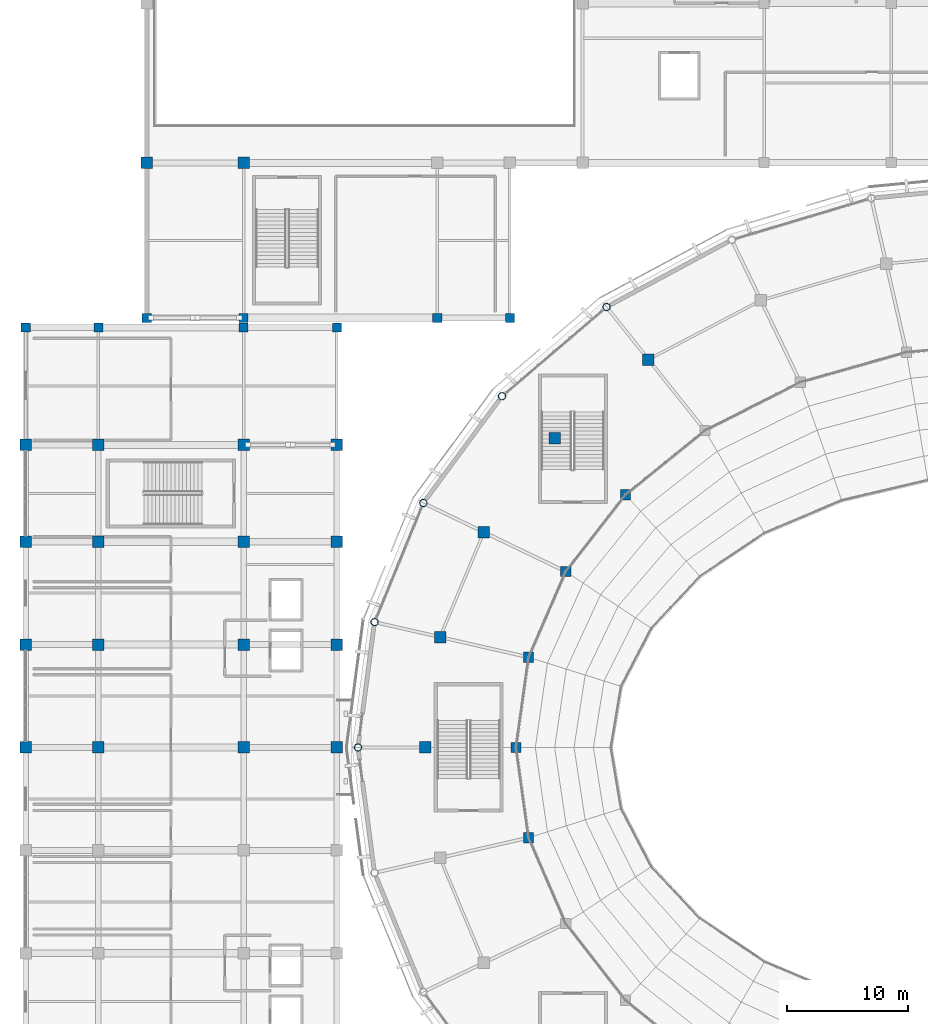
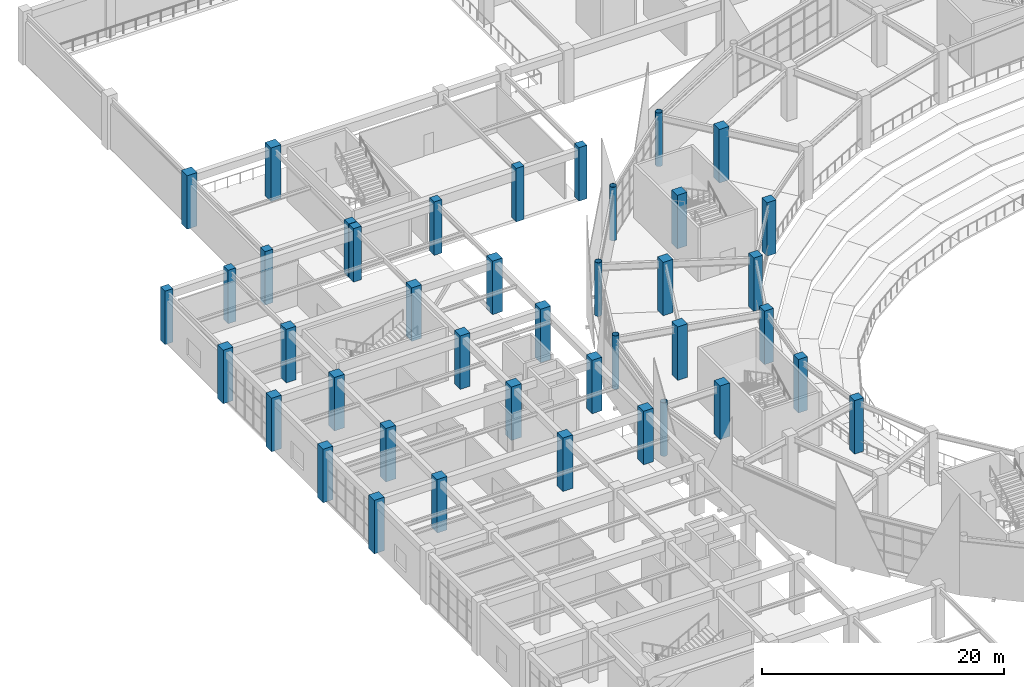
# One storey, part 6 of 120: 41 columns.
"""IFC4 building model written with IfcOpenShell, lengths in metres."""

import ifcopenshell
import ifcopenshell.guid

model = None  # the IFC model being written
_history = None  # IfcOwnerHistory: only IFC2X3 demands one
_inside = {}  # id of a spatial element -> (the spatial element, [elements in it])
_under = {}  # id of a project, library or spatial element -> (it, [spatial elements below it])
_declared = {}  # id of a project -> (the project, [libraries it declares])
_typed = {}  # id of a type object -> (the type object, [elements of that type])
_made_of = {}  # id of a material, layer set ... -> (it, [elements and type objects made of it])


def new_model(schema):
    """Start an empty IFC model of exactly this schema.

    Asked for "IFC4X3", IfcOpenShell would pick the latest addendum, in which some entities
    have other attributes; the version numbers below select the first issue.
    IFC2X3 requires an IfcOwnerHistory on every rooted entity: one is made here for all.
    """
    global model, _history
    if schema == "IFC4X3":
        model = ifcopenshell.file(schema_version=(4, 3, 0, 0))
    else:
        model = ifcopenshell.file(schema=schema)
    _inside.clear()
    _under.clear()
    _declared.clear()
    _typed.clear()
    _made_of.clear()
    _history = None
    if model.schema == "IFC2X3":
        org = make("IfcOrganization", Name="unknown")
        user = make(
            "IfcPersonAndOrganization",
            ThePerson=make("IfcPerson", FamilyName="unknown"),
            TheOrganization=org,
        )
        app = make(
            "IfcApplication",
            ApplicationDeveloper=org,
            Version="unknown",
            ApplicationFullName="unknown",
            ApplicationIdentifier="unknown",
        )
        _history = make(
            "IfcOwnerHistory",
            OwningUser=user,
            OwningApplication=app,
            ChangeAction="ADDED",
            CreationDate=0,
        )
    return model


def make(cls, **values):
    """One entity of the class cls with the attributes given. An attribute that is None is left unset."""
    return model.create_entity(
        cls, **{name: value for name, value in values.items() if value is not None}
    )


def rooted(cls, **values):
    """An entity with a GlobalId (a new one), such as an element, a storey or a relation."""
    return make(cls, GlobalId=ifcopenshell.guid.new(), OwnerHistory=_history, **values)


def si_unit(unit_type, name, prefix=None):
    """IfcSIUnit, for example si_unit("LENGTHUNIT", "METRE", prefix="MILLI")."""
    return make("IfcSIUnit", UnitType=unit_type, Prefix=prefix, Name=name)


def assignment(units):
    """IfcUnitAssignment: the units of a project."""
    return None if units is None else make("IfcUnitAssignment", Units=units)


def point(xyz):
    """IfcCartesianPoint."""
    return None if xyz is None else make("IfcCartesianPoint", Coordinates=xyz)


def direction(xyz):
    """IfcDirection."""
    return None if xyz is None else make("IfcDirection", DirectionRatios=xyz)


def frame(location, z_axis=None, x_axis=None):
    """IfcAxis2Placement3D, a coordinate frame: its origin and axes. An axis left out is left unset."""
    return make(
        "IfcAxis2Placement3D",
        Location=point(location),
        Axis=direction(z_axis),
        RefDirection=direction(x_axis),
    )


def frame_2d(location, x_axis=None):
    """IfcAxis2Placement2D, a coordinate frame in the plane: its origin and x axis."""
    return make(
        "IfcAxis2Placement2D", Location=point(location), RefDirection=direction(x_axis)
    )


def origin():
    """The frame at (0, 0, 0) with its axes left unset."""
    return frame((0.0, 0.0, 0.0))


def origin_2d():
    """The frame at (0, 0) in the plane with its x axis left unset."""
    return frame_2d((0.0, 0.0))


def place(relative_to, where):
    """IfcLocalPlacement: puts the frame where relative to a parent placement (None: the world)."""
    return make(
        "IfcLocalPlacement", PlacementRelTo=relative_to, RelativePlacement=where
    )


def context(
    kind, dimensions, precision=None, world=None, true_north=None, identifier=None
):
    """IfcGeometricRepresentationContext, for example the 3D "Model" context."""
    return make(
        "IfcGeometricRepresentationContext",
        ContextIdentifier=identifier,
        ContextType=kind,
        CoordinateSpaceDimension=dimensions,
        Precision=precision,
        WorldCoordinateSystem=world,
        TrueNorth=true_north,
    )


def subcontext(parent, identifier, kind, view, scale=None):
    """IfcGeometricRepresentationSubContext, for example "Body" below "Model"."""
    return make(
        "IfcGeometricRepresentationSubContext",
        ContextIdentifier=identifier,
        ContextType=kind,
        ParentContext=parent,
        TargetScale=scale,
        TargetView=view,
    )


def project(units=None, contexts=None):
    """IfcProject with its units and contexts."""
    return rooted(
        "IfcProject",
        Name="project",
        RepresentationContexts=contexts,
        UnitsInContext=assignment(units),
    )


def spatial(cls, under=None, at=None, **own):
    """A site, building, storey or space (cls), placed at a placement, below another one or the project."""
    s = rooted(cls, ObjectPlacement=at, **own)
    if under is not None:
        _under.setdefault(under.id(), (under, []))[1].append(s)
    return s


def profile(cls, at=None, kind="AREA", **sizes):
    """A parametric profile (cls). Its sizes go by their IFC names, for example OverallWidth=200.0."""
    return make(cls, ProfileType=kind, Position=at, **sizes)


def rectangle(**sizes):
    """IfcRectangleProfileDef."""
    return profile("IfcRectangleProfileDef", **sizes)


def hollow_circle(**sizes):
    """IfcCircleHollowProfileDef."""
    return profile("IfcCircleHollowProfileDef", **sizes)


def extrude(swept, where, along, depth):
    """IfcExtrudedAreaSolid: the profile swept, set in the frame where, extruded along a direction by depth."""
    return make(
        "IfcExtrudedAreaSolid",
        SweptArea=swept,
        Position=where,
        ExtrudedDirection=direction(along),
        Depth=depth,
    )


def shape(context_of_items, identifier, shape_type, items):
    """IfcShapeRepresentation: the items that make up one representation, for example the "Body"."""
    return make(
        "IfcShapeRepresentation",
        ContextOfItems=context_of_items,
        RepresentationIdentifier=identifier,
        RepresentationType=shape_type,
        Items=items,
    )


def material(Name=None, Category=None):
    """IfcMaterial."""
    return make("IfcMaterial", Name=Name, Category=Category)


def material_profile(
    of_material, cross_section, Name=None, Category=None, Priority=None
):
    """IfcMaterialProfile: a cross section and its material."""
    return make(
        "IfcMaterialProfile",
        Name=Name,
        Material=of_material,
        Profile=cross_section,
        Priority=Priority,
        Category=Category,
    )


def profile_set(profiles, Name=None, composite=None):
    """IfcMaterialProfileSet."""
    return make(
        "IfcMaterialProfileSet",
        Name=Name,
        MaterialProfiles=profiles,
        CompositeProfile=composite,
    )


def made_of(thing, what):
    """Note that an element or type object is made of a material, layer set ...; save() writes the relation."""
    if what is not None:
        _made_of.setdefault(what.id(), (what, []))[1].append(thing)
    return thing


def type_object(cls, material=None, **own):
    """A type object (cls), such as IfcWallType, which elements share."""
    return made_of(rooted(cls, **own), material)


def element(
    cls,
    number,
    at=None,
    inside=None,
    cuts=None,
    type_object=None,
    material=None,
    context=None,
    identifier="Body",
    shape_type=None,
    held_by="IfcProductDefinitionShape",
    body=None,
    shapes=None,
    **own,
):
    """One element of the class cls, such as IfcWall. Its Tag is "e" and its number.

    at: its placement. inside: the storey or other place that contains it. cuts: it is an
    opening in that element (IfcRelVoidsElement). A single representation is given by context,
    identifier, shape_type and body (its items); several are given by shapes. held_by: the class
    of the entity that holds the representations. save() writes the other relations.
    """
    e = rooted(cls, Tag="e%d" % number, ObjectPlacement=at, **own)
    if body is not None:
        shapes = [shape(context, identifier, shape_type, body)]
    if shapes is not None:
        e.Representation = make(held_by, Representations=shapes)
    if inside is not None:
        _inside.setdefault(inside.id(), (inside, []))[1].append(e)
    if cuts is not None:
        rooted(
            "IfcRelVoidsElement", RelatingBuildingElement=cuts, RelatedOpeningElement=e
        )
    if type_object is not None:
        _typed.setdefault(type_object.id(), (type_object, []))[1].append(e)
    return made_of(e, material)


def aggregate(whole, parts):
    """IfcRelAggregates: a whole, such as a stair, and the parts it consists of."""
    return rooted("IfcRelAggregates", RelatingObject=whole, RelatedObjects=parts)


def save(model, path):
    """Write the relations noted so far, then the file.

    IfcRelAggregates (storeys below a building ...), IfcRelContainedInSpatialStructure (elements
    in a storey), IfcRelDefinesByType, IfcRelAssociatesMaterial and IfcRelDeclares: one each for
    every whole, place, type object, material and project.
    """
    for whole, parts in _under.values():
        aggregate(whole, parts)
    for where, things in _inside.values():
        rooted(
            "IfcRelContainedInSpatialStructure",
            RelatedElements=things,
            RelatingStructure=where,
        )
    for kind, things in _typed.values():
        rooted("IfcRelDefinesByType", RelatedObjects=things, RelatingType=kind)
    for what, things in _made_of.values():
        rooted("IfcRelAssociatesMaterial", RelatedObjects=things, RelatingMaterial=what)
    for by, libraries in _declared.values():
        rooted("IfcRelDeclares", RelatingContext=by, RelatedDefinitions=libraries)
    model.write(path)


model = new_model("IFC4")

# Units and contexts
model_context = context("Model", 3, precision=1e-05, world=origin(), true_north=direction((0.0, 1.0)))
body_context = subcontext(model_context, "Body", "Model", "MODEL_VIEW")
ifc_project = project(units=[si_unit("LENGTHUNIT", "METRE"), si_unit("AREAUNIT", "SQUARE_METRE"), si_unit("VOLUMEUNIT", "CUBIC_METRE"), si_unit("PLANEANGLEUNIT", "RADIAN"), si_unit("MASSUNIT", "GRAM", prefix="KILO")], contexts=[model_context])

# Site, building, storey
site_placement = place(None, origin())
site = spatial("IfcSite", under=ifc_project, at=site_placement, CompositionType="ELEMENT")
building_placement = place(site_placement, origin())
building = spatial("IfcBuilding", under=site, at=building_placement, Name="Cuetzalor Civic Arena", CompositionType="ELEMENT")
storey_placement = place(building_placement, frame((0.0, 0.0, 6.0)))
storey = spatial("IfcBuildingStorey", under=building, at=storey_placement, Name="L01", CompositionType="ELEMENT", Elevation=6.0)

# Columns
ifc_material_1 = material(Name="Concrete C40/50", Category="concrete")
ifc_material_profile_1 = material_profile(ifc_material_1, rectangle(XDim=0.75, YDim=0.75, at=origin_2d()), Name="RC 750x750")
ifc_profile_set_1 = profile_set([ifc_material_profile_1], Name="Concrete C40/50")
column_type_1 = type_object("IfcColumnType", Name="ConcreteColumn_750", PredefinedType="COLUMN", material=ifc_profile_set_1)
for number, where, z_axis, x_axis, name in (
    (1, (-82.0, 34.699951171875, 0.0), (0.0, 0.0, 1.0), (1.0, 0.0, 0.0), "Column V4W-C-01-11 L01"),
    (2, (-76.0, 34.699951171875, 0.0), (0.0, 0.0, 1.0), (1.0, 0.0, 0.0), "Column V4W-C-02-11 L01"),
    (3, (-64.0, 34.699951171875, 0.0), (0.0, 0.0, 1.0), (1.0, 0.0, 0.0), "Column V4W-C-03-11 L01"),
    (4, (-56.300048828125, 34.699951171875, 0.0), (0.0, 0.0, 1.0), (1.0, 0.0, 0.0), "Column V4W-C-04-11 L01"),
    (5, (-72.0, 35.5, 0.0), (0.0, 0.0, 1.0), (1.0, 0.0, 0.0), "Column V5-C-01-01 L01"),
    (6, (-64.0, 35.5, 0.0), (0.0, 0.0, 1.0), (1.0, 0.0, 0.0), "Column V5-C-02-01 L01"),
    (7, (-48.0, 35.5, 0.0), (0.0, 0.0, 1.0), (1.0, 0.0, 0.0), "Column V5-C-03-01 L01"),
    (8, (-42.0, 35.5, 0.0), (0.0, 0.0, 1.0), (1.0, 0.0, 0.0), "Column V5-C-04-01 L01"),
):
    element("IfcColumn", number, at=place(storey_placement, frame(where, z_axis=z_axis, x_axis=x_axis)), inside=storey, type_object=column_type_1, Name=name, PredefinedType="COLUMN", context=body_context, shape_type="SweptSolid", body=[
        extrude(rectangle(XDim=0.75, YDim=0.75, at=origin_2d()), origin(), (0.0, 0.0, 1.0), 5.39990234375),
    ])
ifc_material_2 = material(Name="Concrete C40/50", Category="concrete")
ifc_material_profile_2 = material_profile(ifc_material_2, rectangle(XDim=0.85009765625, YDim=0.85009765625, at=origin_2d()), Name="RC 850x850")
ifc_profile_set_2 = profile_set([ifc_material_profile_2], Name="Concrete C40/50")
column_type_2 = type_object("IfcColumnType", Name="ConcreteColumn_850", PredefinedType="COLUMN", material=ifc_profile_set_2)
for number, where, z_axis, x_axis, name in (
    (9, (-32.446044921875, 20.886962890625, 0.0), (0.0, 0.0, 1.0), (1.0, 0.0, 0.0), "Column V1-MID-12 L01"),
    (10, (-37.39013671875, 14.53515625, 0.0), (0.0, 0.0, 1.0), (1.0, 0.0, 0.0), "Column V1-MID-13 L01"),
    (11, (-40.45947265625, 7.45458984375, 0.0), (0.0, 0.0, 1.0), (1.0, 0.0, 0.0), "Column V1-MID-14 L01"),
    (12, (-41.5, 0.0, 0.0), (0.0, 0.0, 1.0), (1.0, 0.0, 0.0), "Column V1-MID-15 L01"),
    (13, (-40.45947265625, -7.45458984375, 0.0), (0.0, 0.0, 1.0), (1.0, 0.0, 0.0), "Column V1-MID-16 L01"),
):
    element("IfcColumn", number, at=place(storey_placement, frame(where, z_axis=z_axis, x_axis=x_axis)), inside=storey, type_object=column_type_2, Name=name, PredefinedType="COLUMN", context=body_context, shape_type="SweptSolid", body=[
        extrude(rectangle(XDim=0.85009765625, YDim=0.85009765625, at=origin_2d()), origin(), (0.0, 0.0, 1.0), 5.39990234375),
    ])
ifc_material_3 = material(Name="Concrete C40/50", Category="concrete")
ifc_material_profile_3 = material_profile(ifc_material_3, rectangle(XDim=0.949951171875, YDim=0.949951171875, at=origin_2d()), Name="RC 950x950")
ifc_profile_set_3 = profile_set([ifc_material_profile_3], Name="Concrete C40/50")
column_type_3 = type_object("IfcColumnType", Name="ConcreteColumn_950", PredefinedType="COLUMN", material=ifc_profile_set_3)
for number, where, z_axis, x_axis, name in (
    (14, (-30.551025390625, 32.05517578125, 0.0), (0.0, 0.0, 1.0), (1.0, 0.0, 0.0), "Column V1-REC-11 L01"),
    (15, (-38.309814453125, 25.56298828125, 0.0), (0.0, 0.0, 1.0), (1.0, 0.0, 0.0), "Column V1-REC-12 L01"),
    (16, (-44.1474609375, 17.789306640625, 0.0), (0.0, 0.0, 1.0), (1.0, 0.0, 0.0), "Column V1-REC-13 L01"),
    (17, (-47.771484375, 9.123291015625, 0.0), (0.0, 0.0, 1.0), (1.0, 0.0, 0.0), "Column V1-REC-14 L01"),
    (18, (-49.0, 0.0, 0.0), (0.0, 0.0, 1.0), (1.0, 0.0, 0.0), "Column V1-REC-15 L01"),
    (19, (-82.0, 0.0, 0.0), (0.0, 0.0, 1.0), (1.0, 0.0, 0.0), "Column V4W-C-01-07 L01"),
    (20, (-82.0, 8.5, 0.0), (0.0, 0.0, 1.0), (1.0, 0.0, 0.0), "Column V4W-C-01-08 L01"),
    (21, (-82.0, 17.0, 0.0), (0.0, 0.0, 1.0), (1.0, 0.0, 0.0), "Column V4W-C-01-09 L01"),
    (22, (-82.0, 25.0, 0.0), (0.0, 0.0, 1.0), (1.0, 0.0, 0.0), "Column V4W-C-01-10 L01"),
    (23, (-76.0, 0.0, 0.0), (0.0, 0.0, 1.0), (1.0, 0.0, 0.0), "Column V4W-C-02-07 L01"),
    (24, (-76.0, 8.5, 0.0), (0.0, 0.0, 1.0), (1.0, 0.0, 0.0), "Column V4W-C-02-08 L01"),
    (25, (-76.0, 17.0, 0.0), (0.0, 0.0, 1.0), (1.0, 0.0, 0.0), "Column V4W-C-02-09 L01"),
    (26, (-76.0, 25.0, 0.0), (0.0, 0.0, 1.0), (1.0, 0.0, 0.0), "Column V4W-C-02-10 L01"),
    (27, (-64.0, 0.0, 0.0), (0.0, 0.0, 1.0), (1.0, 0.0, 0.0), "Column V4W-C-03-07 L01"),
    (28, (-64.0, 8.5, 0.0), (0.0, 0.0, 1.0), (1.0, 0.0, 0.0), "Column V4W-C-03-08 L01"),
    (29, (-64.0, 17.0, 0.0), (0.0, 0.0, 1.0), (1.0, 0.0, 0.0), "Column V4W-C-03-09 L01"),
    (30, (-64.0, 25.0, 0.0), (0.0, 0.0, 1.0), (1.0, 0.0, 0.0), "Column V4W-C-03-10 L01"),
    (31, (-56.300048828125, 0.0, 0.0), (0.0, 0.0, 1.0), (1.0, 0.0, 0.0), "Column V4W-C-04-07 L01"),
    (32, (-56.300048828125, 8.5, 0.0), (0.0, 0.0, 1.0), (1.0, 0.0, 0.0), "Column V4W-C-04-08 L01"),
    (33, (-56.300048828125, 17.0, 0.0), (0.0, 0.0, 1.0), (1.0, 0.0, 0.0), "Column V4W-C-04-09 L01"),
    (34, (-56.300048828125, 25.0, 0.0), (0.0, 0.0, 1.0), (1.0, 0.0, 0.0), "Column V4W-C-04-10 L01"),
    (35, (-72.0, 48.300048828125, 0.0), (0.0, 0.0, 1.0), (1.0, 0.0, 0.0), "Column V5-C-01-02 L01"),
    (36, (-64.0, 48.300048828125, 0.0), (0.0, 0.0, 1.0), (1.0, 0.0, 0.0), "Column V5-C-02-02 L01"),
):
    element("IfcColumn", number, at=place(storey_placement, frame(where, z_axis=z_axis, x_axis=x_axis)), inside=storey, type_object=column_type_3, Name=name, PredefinedType="COLUMN", context=body_context, shape_type="SweptSolid", body=[
        extrude(rectangle(XDim=0.949951171875, YDim=0.949951171875, at=origin_2d()), origin(), (0.0, 0.0, 1.0), 5.39990234375),
    ])
ifc_material_4 = material(Name="Steel S355", Category="steel")
ifc_material_profile_4 = material_profile(ifc_material_4, hollow_circle(Radius=0.304931640625, WallThickness=0.02490234375, at=origin_2d()), Name="CHS 610x25")
ifc_profile_set_4 = profile_set([ifc_material_profile_4], Name="Steel S355")
column_type_4 = type_object("IfcColumnType", Name="SteelDomePylon_CHS610", PredefinedType="COLUMN", material=ifc_profile_set_4)
for number, where, z_axis, x_axis, name in (
    (37, (-34.011474609375, 36.394287109375, 0.0), (0.0, 0.0, 1.0), (1.0, 0.0, 0.0), "Column V1-PYL-11 L01"),
    (38, (-42.64892578125, 29.0234375, 0.0), (0.0, 0.0, 1.0), (1.0, 0.0, 0.0), "Column V1-PYL-12 L01"),
    (39, (-49.14794921875, 20.197265625, 0.0), (0.0, 0.0, 1.0), (1.0, 0.0, 0.0), "Column V1-PYL-13 L01"),
    (40, (-53.182373046875, 10.3583984375, 0.0), (0.0, 0.0, 1.0), (1.0, 0.0, 0.0), "Column V1-PYL-14 L01"),
    (41, (-54.550048828125, 0.0, 0.0), (0.0, 0.0, 1.0), (1.0, 0.0, 0.0), "Column V1-PYL-15 L01"),
):
    element("IfcColumn", number, at=place(storey_placement, frame(where, z_axis=z_axis, x_axis=x_axis)), inside=storey, type_object=column_type_4, Name=name, PredefinedType="COLUMN", context=body_context, shape_type="SweptSolid", body=[
        extrude(hollow_circle(Radius=0.304931640625, WallThickness=0.02490234375, at=origin_2d()), origin(), (0.0, 0.0, 1.0), 5.39990234375),
    ])

save(model, "model.ifc")
